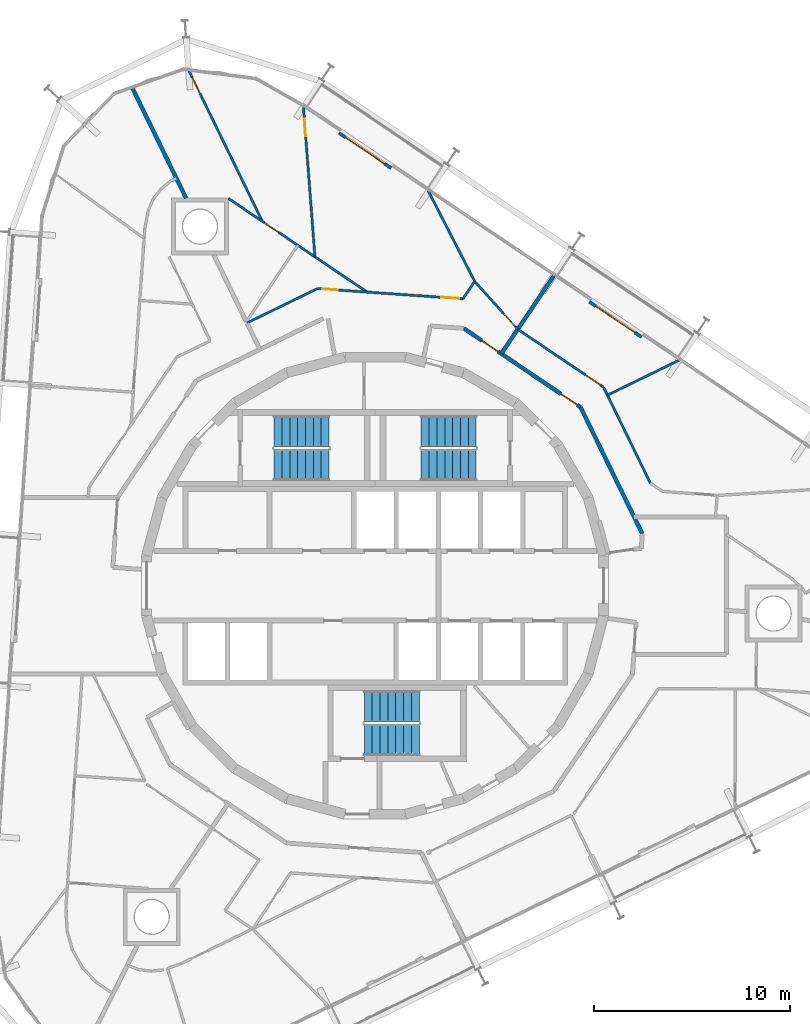
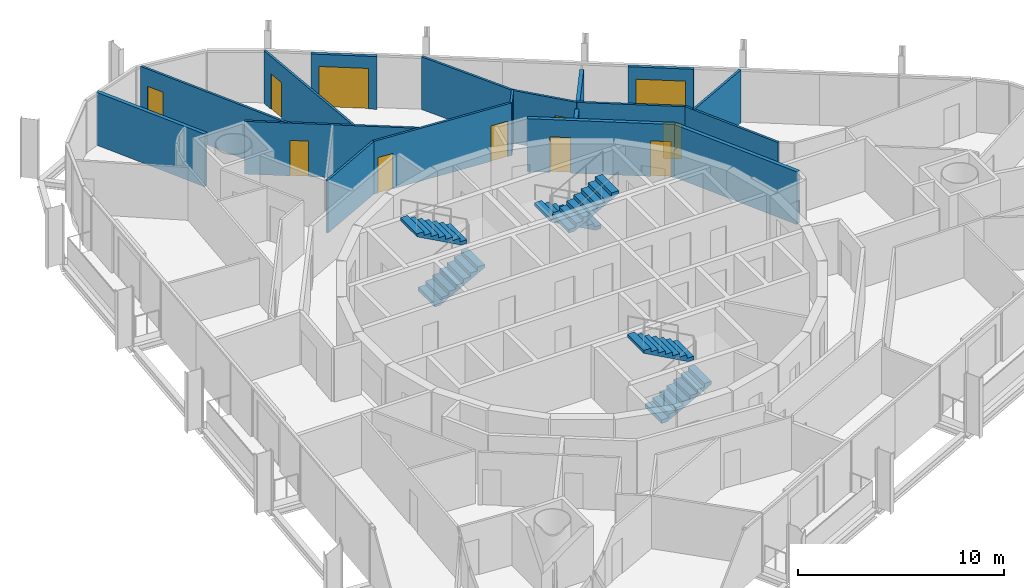
# One storey, part 16 of 17: 17 walls, 11 doors, 6 stair flights, 11 openings, 3 elements without a shape of their own.
"""IFC4 building model written with IfcOpenShell, lengths in metres."""

from ifc_helpers import new_model, si_unit, direction, frame, frame_2d, origin, place, context, subcontext, project, spatial, polyline, rectangle, outline, extrude, material, layer, layer_set, type_object, element, fill, aggregate, save


model = new_model("IFC4")

# Units and contexts
model_context = context("Model", 3, precision=1e-05, world=origin(), true_north=direction((0.0, 1.0)))
body_context = subcontext(model_context, "Body", "Model", "MODEL_VIEW")
ifc_project = project(units=[si_unit("LENGTHUNIT", "METRE"), si_unit("AREAUNIT", "SQUARE_METRE"), si_unit("VOLUMEUNIT", "CUBIC_METRE"), si_unit("PLANEANGLEUNIT", "RADIAN"), si_unit("MASSUNIT", "GRAM", prefix="KILO")], contexts=[model_context])

# Site, building, storey
site_placement = place(None, origin())
site = spatial("IfcSite", under=ifc_project, at=site_placement, CompositionType="ELEMENT")
building_placement = place(site_placement, origin())
building = spatial("IfcBuilding", under=site, at=building_placement, Name="Spindle Arch Residences", CompositionType="ELEMENT")
storey_placement = place(building_placement, frame((0.0, 0.0, 209.39990234375)))
storey = spatial("IfcBuildingStorey", under=building, at=storey_placement, Name="L53", CompositionType="ELEMENT", Elevation=209.39990234375)

# Wall, openings, doors
ifc_material_1 = material(Name="Calcium silicate block, plastered")
ifc_layer_1 = layer(ifc_material_1, 0.199951171875)
ifc_layer_set_1 = layer_set([ifc_layer_1], Name="Corridor wall 200")
wall_type_1 = type_object("IfcWallType", Name="Corridor wall 200", PredefinedType="STANDARD", material=ifc_layer_set_1)
wall_1_placement = place(storey_placement, frame((10.469970703125, 9.101318359375, 0.0), z_axis=(0.0, 0.0, 1.0), x_axis=(-0.829035841718, 0.559195469534, 0.0)))
wall_1 = element("IfcWall", 1, at=wall_1_placement, inside=storey, type_object=wall_type_1, Name="Corridor wall R5C0-W005", PredefinedType="STANDARD", context=body_context, shape_type="SweptSolid", body=[
    extrude(rectangle(XDim=7.18115234375, YDim=0.199951171875, at=frame_2d((3.590576171875, 0.0))), origin(), (0.0, 0.0, 1.0), 3.1201171875),
])
opening_1_placement = place(wall_1_placement, frame((0.199951171875, 0.0, 0.0)))
opening_1 = element("IfcOpeningElement", 2, at=opening_1_placement, cuts=wall_1, Name="Opening R5C0-FD01", PredefinedType="OPENING", context=body_context, shape_type="SweptSolid", body=[
    extrude(rectangle(XDim=1.0, YDim=2.10009765625, at=frame_2d((0.5, 1.050048828125))), frame((0.0, 0.10986328125, 0.0), z_axis=(0.0, -1.0, 0.0), x_axis=(1.0, 0.0, 0.0)), (0.0, 0.0, 1.0), 0.219970703125),
])
opening_2_placement = place(wall_1_placement, frame((5.07275390625, 0.0, 0.0)))
opening_2 = element("IfcOpeningElement", 3, at=opening_2_placement, cuts=wall_1, Name="Opening R5C0-FD02", PredefinedType="OPENING", context=body_context, shape_type="SweptSolid", body=[
    extrude(rectangle(XDim=1.0, YDim=2.10009765625, at=frame_2d((0.5, 1.050048828125))), frame((0.0, 0.10986328125, 0.0), z_axis=(0.0, -1.0, 0.0), x_axis=(1.0, 0.0, 0.0)), (0.0, 0.0, 1.0), 0.219970703125),
])
ifc_material_2 = material(Name="Timber, fire-resisting door set", Category="wood")
door_type_1 = type_object("IfcDoorType", Name="Flat entrance door 1000x2100", OperationType="NOTDEFINED", PredefinedType="DOOR", material=ifc_material_2)
door_1_placement = place(opening_1_placement, origin())
door_1 = element("IfcDoor", 4, at=door_1_placement, inside=storey, type_object=door_type_1, Name="Flat entrance door R5C0-FD01", OperationType="SINGLE_SWING_LEFT", OverallHeight=2.10009765625, OverallWidth=1.0, PredefinedType="DOOR", context=body_context, shape_type="SweptSolid", body=[
    extrude(rectangle(XDim=1.0, YDim=2.10009765625, at=frame_2d((0.5, 1.050048828125))), frame((0.0, 0.02490234375, 0.0), z_axis=(0.0, -1.0, 0.0), x_axis=(1.0, 0.0, 0.0)), (0.0, 0.0, 1.0), 0.050048828125),
])
fill(opening_1, door_1)
door_2_placement = place(opening_2_placement, origin())
door_2 = element("IfcDoor", 5, at=door_2_placement, inside=storey, type_object=door_type_1, Name="Flat entrance door R5C0-FD02", OperationType="SINGLE_SWING_RIGHT", OverallHeight=2.10009765625, OverallWidth=1.0, PredefinedType="DOOR", context=body_context, shape_type="SweptSolid", body=[
    extrude(rectangle(XDim=1.0, YDim=2.10009765625, at=frame_2d((0.5, 1.050048828125))), frame((0.0, 0.02490234375, 0.0), z_axis=(0.0, -1.0, 0.0), x_axis=(1.0, 0.0, 0.0)), (0.0, 0.0, 1.0), 0.050048828125),
])
fill(opening_2, door_2)

# Walls
ifc_material_3 = material(Name="Calcium silicate block, plastered")
ifc_layer_2 = layer(ifc_material_3, 0.199951171875)
ifc_layer_set_2 = layer_set([ifc_layer_2], Name="Fire-lift lobby bay wall 200")
wall_type_2 = type_object("IfcWallType", Name="Fire-lift lobby bay wall 200", PredefinedType="STANDARD", material=ifc_layer_set_2)
wall_2_placement = place(storey_placement, frame((13.617919921875, 2.64697265625, 0.0), z_axis=(0.0, 0.0, 1.0), x_axis=(-0.438366026218, 0.898796543751, 0.0)))
element("IfcWall", 6, at=wall_2_placement, inside=storey, type_object=wall_type_2, Name="Fire-lift lobby bay wall R5C0-W004", PredefinedType="STANDARD", context=body_context, shape_type="SweptSolid", body=[
    extrude(rectangle(XDim=7.18115234375, YDim=0.199951171875, at=frame_2d((3.590576171875, 0.0))), origin(), (0.0, 0.0, 1.0), 3.1201171875),
])
ifc_material_4 = material(Name="Plasterboard on steel studs", Category="steel")
ifc_layer_3 = layer(ifc_material_4, 0.1201171875)
ifc_layer_set_3 = layer_set([ifc_layer_3], Name="Flat partition 120")
wall_type_3 = type_object("IfcWallType", Name="Flat partition 120", PredefinedType="PARTITIONING", material=ifc_layer_set_3)
wall_3_placement = place(storey_placement, frame((14.02587890625, 5.232177734375, 0.0), z_axis=(0.0, 0.0, 1.0), x_axis=(-0.438374985284, 0.89879217413, 0.0)))
element("IfcWall", 7, at=wall_3_placement, inside=storey, type_object=wall_type_3, Name="Flat partition R5C0-W040", PredefinedType="PARTITIONING", context=body_context, shape_type="SweptSolid", body=[
    extrude(rectangle(XDim=5.438232421875, YDim=0.1201171875, at=frame_2d((2.71923828125, 0.0))), origin(), (0.0, 0.0, 1.0), 3.1201171875),
])

# Wall, opening, door
wall_4_placement = place(storey_placement, frame((11.641845703125, 10.1201171875, 0.0), z_axis=(0.0, 0.0, 1.0), x_axis=(-0.829054664054, 0.559167563446, 0.0)))
wall_4 = element("IfcWall", 8, at=wall_4_placement, inside=storey, type_object=wall_type_3, Name="Flat partition R5C0-W041", PredefinedType="PARTITIONING", context=body_context, shape_type="SweptSolid", body=[
    extrude(rectangle(XDim=5.274658203125, YDim=0.1201171875, at=frame_2d((2.63720703125, 0.0))), origin(), (0.0, 0.0, 1.0), 3.1201171875),
])
opening_3_placement = place(wall_4_placement, frame((0.199951171875, 0.0, 0.0)))
opening_3 = element("IfcOpeningElement", 9, at=opening_3_placement, cuts=wall_4, Name="Opening R5C0-ID02", PredefinedType="OPENING", context=body_context, shape_type="SweptSolid", body=[
    extrude(rectangle(XDim=0.89990234375, YDim=2.10009765625, at=frame_2d((0.449951171875, 1.050048828125))), frame((0.0, 0.070068359375, 0.0), z_axis=(0.0, -1.0, 0.0), x_axis=(1.0, 0.0, 0.0)), (0.0, 0.0, 1.0), 0.14013671875),
])
ifc_material_5 = material(Name="Timber door set", Category="wood")
door_type_2 = type_object("IfcDoorType", Name="Room door 900x2100", OperationType="NOTDEFINED", PredefinedType="DOOR", material=ifc_material_5)
door_3_placement = place(opening_3_placement, origin())
door_3 = element("IfcDoor", 10, at=door_3_placement, inside=storey, type_object=door_type_2, Name="Room door R5C0-ID02", OperationType="SINGLE_SWING_LEFT", OverallHeight=2.10009765625, OverallWidth=0.89990234375, PredefinedType="DOOR", context=body_context, shape_type="SweptSolid", body=[
    extrude(rectangle(XDim=0.89990234375, YDim=2.10009765625, at=frame_2d((0.449951171875, 1.050048828125))), frame((0.0, 0.02490234375, 0.0), z_axis=(0.0, -1.0, 0.0), x_axis=(1.0, 0.0, 0.0)), (0.0, 0.0, 1.0), 0.050048828125),
])
fill(opening_3, door_3)

# Wall
wall_5_placement = place(storey_placement, frame((15.48193359375, 11.4873046875, 0.0), z_axis=(0.0, 0.0, 1.0), x_axis=(-0.898807251285, -0.438344071521, 0.0)))
element("IfcWall", 11, at=wall_5_placement, inside=storey, type_object=wall_type_3, Name="Flat partition R5C0-W047", PredefinedType="PARTITIONING", context=body_context, shape_type="SweptSolid", body=[
    extrude(rectangle(XDim=4.05078125, YDim=0.1201171875, at=frame_2d((2.025390625, 0.0))), origin(), (0.0, 0.0, 1.0), 3.1201171875),
])

# Wall, opening, door
wall_6_placement = place(storey_placement, frame((7.268798828125, 13.069580078125, 0.0), z_axis=(0.0, 0.0, 1.0), x_axis=(-0.668495993587, 0.743715743116, 0.0)))
wall_6 = element("IfcWall", 12, at=wall_6_placement, inside=storey, type_object=wall_type_3, Name="Flat partition R5C0-W048", PredefinedType="PARTITIONING", context=body_context, shape_type="SweptSolid", body=[
    extrude(rectangle(XDim=3.281494140625, YDim=0.1201171875, at=frame_2d((1.640625, 0.0))), origin(), (0.0, 0.0, 1.0), 3.1201171875),
])
opening_4_placement = place(wall_6_placement, frame((0.199951171875, 0.0, 0.0)))
opening_4 = element("IfcOpeningElement", 13, at=opening_4_placement, cuts=wall_6, Name="Opening R5C0-ID05", PredefinedType="OPENING", context=body_context, shape_type="SweptSolid", body=[
    extrude(rectangle(XDim=0.89990234375, YDim=2.10009765625, at=frame_2d((0.449951171875, 1.050048828125))), frame((0.0, 0.070068359375, 0.0), z_axis=(0.0, -1.0, 0.0), x_axis=(1.0, 0.0, 0.0)), (0.0, 0.0, 1.0), 0.14013671875),
])
door_4_placement = place(opening_4_placement, origin())
door_4 = element("IfcDoor", 14, at=door_4_placement, inside=storey, type_object=door_type_2, Name="Room door R5C0-ID05", OperationType="SINGLE_SWING_RIGHT", OverallHeight=2.10009765625, OverallWidth=0.89990234375, PredefinedType="DOOR", context=body_context, shape_type="SweptSolid", body=[
    extrude(rectangle(XDim=0.89990234375, YDim=2.10009765625, at=frame_2d((0.449951171875, 1.050048828125))), frame((0.0, 0.02490234375, 0.0), z_axis=(0.0, -1.0, 0.0), x_axis=(1.0, 0.0, 0.0)), (0.0, 0.0, 1.0), 0.050048828125),
])
fill(opening_4, door_4)

# Wall
wall_7_placement = place(storey_placement, frame((5.0751953125, 15.510009765625, 0.0), z_axis=(0.0, 0.0, 1.0), x_axis=(-0.559221936342, -0.829017988896, 0.0)))
element("IfcWall", 15, at=wall_7_placement, inside=storey, type_object=wall_type_3, Name="Flat partition R5C0-W049", PredefinedType="PARTITIONING", context=body_context, shape_type="SweptSolid", body=[
    extrude(rectangle(XDim=1.069580078125, YDim=0.1201171875, at=frame_2d((0.53466796875, 0.0))), origin(), (0.0, 0.0, 1.0), 3.1201171875),
])

# Wall, openings, doors
wall_8_placement = place(storey_placement, frame((4.47705078125, 14.623291015625, 0.0), z_axis=(0.0, 0.0, 1.0), x_axis=(-0.997564862172, 0.069744861884, 0.0)))
wall_8 = element("IfcWall", 16, at=wall_8_placement, inside=storey, type_object=wall_type_3, Name="Flat partition R5C0-W050", PredefinedType="PARTITIONING", context=body_context, shape_type="SweptSolid", body=[
    extrude(rectangle(XDim=7.4384765625, YDim=0.1201171875, at=frame_2d((3.71923828125, 0.0))), origin(), (0.0, 0.0, 1.0), 3.1201171875),
])
opening_5_placement = place(wall_8_placement, frame((0.199951171875, 0.0, 0.0)))
opening_5 = element("IfcOpeningElement", 17, at=opening_5_placement, cuts=wall_8, Name="Opening R5C0-ID06", PredefinedType="OPENING", context=body_context, shape_type="SweptSolid", body=[
    extrude(rectangle(XDim=0.89990234375, YDim=2.10009765625, at=frame_2d((0.449951171875, 1.050048828125))), frame((0.0, 0.070068359375, 0.0), z_axis=(0.0, -1.0, 0.0), x_axis=(1.0, 0.0, 0.0)), (0.0, 0.0, 1.0), 0.14013671875),
])
opening_6_placement = place(wall_8_placement, frame((6.39208984375, 0.0, 0.0)))
opening_6 = element("IfcOpeningElement", 18, at=opening_6_placement, cuts=wall_8, Name="Opening R5C0-BD02", PredefinedType="OPENING", context=body_context, shape_type="SweptSolid", body=[
    extrude(rectangle(XDim=0.800048828125, YDim=2.10009765625, at=frame_2d((0.39990234375, 1.050048828125))), frame((0.0, 0.070068359375, 0.0), z_axis=(0.0, -1.0, 0.0), x_axis=(1.0, 0.0, 0.0)), (0.0, 0.0, 1.0), 0.14013671875),
])
ifc_material_6 = material(Name="Timber door set", Category="wood")
door_type_3 = type_object("IfcDoorType", Name="Bathroom door 800x2100", OperationType="NOTDEFINED", PredefinedType="DOOR", material=ifc_material_6)
door_5_placement = place(opening_6_placement, origin())
door_5 = element("IfcDoor", 19, at=door_5_placement, inside=storey, type_object=door_type_3, Name="Bathroom door R5C0-BD02", OperationType="SINGLE_SWING_RIGHT", OverallHeight=2.10009765625, OverallWidth=0.800048828125, PredefinedType="DOOR", context=body_context, shape_type="SweptSolid", body=[
    extrude(rectangle(XDim=0.800048828125, YDim=2.10009765625, at=frame_2d((0.39990234375, 1.050048828125))), frame((0.0, 0.02490234375, 0.0), z_axis=(0.0, -1.0, 0.0), x_axis=(1.0, 0.0, 0.0)), (0.0, 0.0, 1.0), 0.050048828125),
])
fill(opening_6, door_5)
door_6_placement = place(opening_5_placement, origin())
door_6 = element("IfcDoor", 20, at=door_6_placement, inside=storey, type_object=door_type_2, Name="Room door R5C0-ID06", OperationType="SINGLE_SWING_RIGHT", OverallHeight=2.10009765625, OverallWidth=0.89990234375, PredefinedType="DOOR", context=body_context, shape_type="SweptSolid", body=[
    extrude(rectangle(XDim=0.89990234375, YDim=2.10009765625, at=frame_2d((0.449951171875, 1.050048828125))), frame((0.0, 0.02490234375, 0.0), z_axis=(0.0, -1.0, 0.0), x_axis=(1.0, 0.0, 0.0)), (0.0, 0.0, 1.0), 0.050048828125),
])
fill(opening_5, door_6)

# Walls
wall_9_placement = place(storey_placement, frame((-2.943359375, 15.14208984375, 0.0), z_axis=(0.0, 0.0, 1.0), x_axis=(-0.89881075705, -0.438336883014, 0.0)))
element("IfcWall", 21, at=wall_9_placement, inside=storey, type_object=wall_type_3, Name="Flat partition R5C0-W051", PredefinedType="PARTITIONING", context=body_context, shape_type="SweptSolid", body=[
    extrude(rectangle(XDim=3.992431640625, YDim=0.1201171875, at=frame_2d((1.99609375, 0.0))), origin(), (0.0, 0.0, 1.0), 3.1201171875),
])
wall_10_placement = place(storey_placement, frame((2.696044921875, 20.1484375, 0.0), z_axis=(0.0, 0.0, 1.0), x_axis=(0.456387956197, -0.889780890691, 0.0)))
element("IfcWall", 22, at=wall_10_placement, inside=storey, type_object=wall_type_3, Name="Flat partition R5C0-W052", PredefinedType="PARTITIONING", context=body_context, shape_type="SweptSolid", body=[
    extrude(rectangle(XDim=5.212890625, YDim=0.1201171875, at=frame_2d((2.6064453125, 0.0))), origin(), (0.0, 0.0, 1.0), 3.1201171875),
])

# Wall, opening, door
wall_11_placement = place(storey_placement, frame((-7.475830078125, 19.735107421875, 0.0), z_axis=(0.0, 0.0, 1.0), x_axis=(0.829035412992, -0.559196105142, 0.0)))
wall_11 = element("IfcWall", 23, at=wall_11_placement, inside=storey, type_object=wall_type_3, Name="Flat partition R5C0-W053", PredefinedType="PARTITIONING", context=body_context, shape_type="SweptSolid", body=[
    extrude(rectangle(XDim=8.531005859375, YDim=0.1201171875, at=frame_2d((4.265625, 0.0))), origin(), (0.0, 0.0, 1.0), 3.1201171875),
])
opening_7_placement = place(wall_11_placement, frame((2.20361328125, 0.0, 0.0)))
opening_7 = element("IfcOpeningElement", 24, at=opening_7_placement, cuts=wall_11, Name="Opening R5C0-ID08", PredefinedType="OPENING", context=body_context, shape_type="SweptSolid", body=[
    extrude(rectangle(XDim=0.89990234375, YDim=2.10009765625, at=frame_2d((0.449951171875, 1.050048828125))), frame((0.0, 0.070068359375, 0.0), z_axis=(0.0, -1.0, 0.0), x_axis=(1.0, 0.0, 0.0)), (0.0, 0.0, 1.0), 0.14013671875),
])
door_7_placement = place(opening_7_placement, origin())
door_7 = element("IfcDoor", 25, at=door_7_placement, inside=storey, type_object=door_type_2, Name="Room door R5C0-ID08", OperationType="SINGLE_SWING_LEFT", OverallHeight=2.10009765625, OverallWidth=0.89990234375, PredefinedType="DOOR", context=body_context, shape_type="SweptSolid", body=[
    extrude(rectangle(XDim=0.89990234375, YDim=2.10009765625, at=frame_2d((0.449951171875, 1.050048828125))), frame((0.0, 0.02490234375, 0.0), z_axis=(0.0, -1.0, 0.0), x_axis=(1.0, 0.0, 0.0)), (0.0, 0.0, 1.0), 0.050048828125),
])
fill(opening_7, door_7)

wall_12_placement = place(storey_placement, frame((-3.6533203125, 24.39404296875, 0.0), z_axis=(0.0, 0.0, 1.0), x_axis=(0.076513576433, -0.997068539581, 0.0)))
wall_12 = element("IfcWall", 26, at=wall_12_placement, inside=storey, type_object=wall_type_3, Name="Flat partition R5C0-W054", PredefinedType="PARTITIONING", context=body_context, shape_type="SweptSolid", body=[
    extrude(rectangle(XDim=7.65478515625, YDim=0.1201171875, at=frame_2d((3.827392578125, 0.0))), origin(), (0.0, 0.0, 1.0), 3.1201171875),
])
opening_8_placement = place(wall_12_placement, frame((0.60009765625, 0.0, 0.0)))
opening_8 = element("IfcOpeningElement", 27, at=opening_8_placement, cuts=wall_12, Name="Opening R5C0-ID07", PredefinedType="OPENING", context=body_context, shape_type="SweptSolid", body=[
    extrude(rectangle(XDim=0.89990234375, YDim=2.10009765625, at=frame_2d((0.449951171875, 1.050048828125))), frame((0.0, 0.070068359375, 0.0), z_axis=(0.0, -1.0, 0.0), x_axis=(1.0, 0.0, 0.0)), (0.0, 0.0, 1.0), 0.14013671875),
])
door_8_placement = place(opening_8_placement, origin())
door_8 = element("IfcDoor", 28, at=door_8_placement, inside=storey, type_object=door_type_2, Name="Room door R5C0-ID07", OperationType="SINGLE_SWING_RIGHT", OverallHeight=2.10009765625, OverallWidth=0.89990234375, PredefinedType="DOOR", context=body_context, shape_type="SweptSolid", body=[
    extrude(rectangle(XDim=0.89990234375, YDim=2.10009765625, at=frame_2d((0.449951171875, 1.050048828125))), frame((0.0, 0.02490234375, 0.0), z_axis=(0.0, -1.0, 0.0), x_axis=(1.0, 0.0, 0.0)), (0.0, 0.0, 1.0), 0.050048828125),
])
fill(opening_8, door_8)

wall_13_placement = place(storey_placement, frame((-9.49609375, 26.25390625, 0.0), z_axis=(0.0, 0.0, 1.0), x_axis=(0.438361739807, -0.89879863433, 0.0)))
wall_13 = element("IfcWall", 29, at=wall_13_placement, inside=storey, type_object=wall_type_3, Name="Flat partition R5C0-W056", PredefinedType="PARTITIONING", context=body_context, shape_type="SweptSolid", body=[
    extrude(rectangle(XDim=8.549072265625, YDim=0.1201171875, at=frame_2d((4.2744140625, 0.0))), origin(), (0.0, 0.0, 1.0), 3.1201171875),
])
opening_9_placement = place(wall_13_placement, frame((0.39990234375, 0.0, 0.0)))
opening_9 = element("IfcOpeningElement", 30, at=opening_9_placement, cuts=wall_13, Name="Opening R5C0-ID09", PredefinedType="OPENING", context=body_context, shape_type="SweptSolid", body=[
    extrude(rectangle(XDim=0.89990234375, YDim=2.10009765625, at=frame_2d((0.449951171875, 1.050048828125))), frame((0.0, 0.070068359375, 0.0), z_axis=(0.0, -1.0, 0.0), x_axis=(1.0, 0.0, 0.0)), (0.0, 0.0, 1.0), 0.14013671875),
])
door_9_placement = place(opening_9_placement, origin())
door_9 = element("IfcDoor", 31, at=door_9_placement, inside=storey, type_object=door_type_2, Name="Room door R5C0-ID09", OperationType="SINGLE_SWING_RIGHT", OverallHeight=2.10009765625, OverallWidth=0.89990234375, PredefinedType="DOOR", context=body_context, shape_type="SweptSolid", body=[
    extrude(rectangle(XDim=0.89990234375, YDim=2.10009765625, at=frame_2d((0.449951171875, 1.050048828125))), frame((0.0, 0.02490234375, 0.0), z_axis=(0.0, -1.0, 0.0), x_axis=(1.0, 0.0, 0.0)), (0.0, 0.0, 1.0), 0.050048828125),
])
fill(opening_9, door_9)

# Walls
ifc_material_7 = material(Name="Calcium silicate block, plastered")
ifc_layer_4 = layer(ifc_material_7, 0.199951171875)
ifc_layer_set_4 = layer_set([ifc_layer_4], Name="Flat party wall 200")
wall_type_4 = type_object("IfcWallType", Name="Flat party wall 200", PredefinedType="STANDARD", material=ifc_layer_set_4)
wall_14_placement = place(storey_placement, frame((-12.4091796875, 25.4423828125, 0.0), z_axis=(0.0, 0.0, 1.0), x_axis=(0.43838641251, -0.898786600549, 0.0)))
element("IfcWall", 32, at=wall_14_placement, inside=storey, type_object=wall_type_4, Name="Flat party wall R5C0-W032", PredefinedType="STANDARD", context=body_context, shape_type="SweptSolid", body=[
    extrude(rectangle(XDim=6.33251953125, YDim=0.199951171875, at=frame_2d((3.166259765625, 0.0))), origin(), (0.0, 0.0, 1.0), 3.1201171875),
])
ifc_material_8 = material(Name="Calcium silicate block, plastered")
ifc_layer_5 = layer(ifc_material_8, 0.199951171875)
ifc_layer_set_5 = layer_set([ifc_layer_5], Name="Flat party wall 200 under beam 2730")
wall_type_5 = type_object("IfcWallType", Name="Flat party wall 200 under beam 2730", PredefinedType="STANDARD", material=ifc_layer_set_5)
wall_15_placement = place(storey_placement, frame((9.103515625, 15.78955078125, 0.0), z_axis=(0.0, 0.0, 1.0), x_axis=(-0.559193912135, -0.829036892201, 0.0)))
element("IfcWall", 33, at=wall_15_placement, inside=storey, type_object=wall_type_5, Name="Flat party wall R5C0-W027", PredefinedType="STANDARD", context=body_context, shape_type="SweptSolid", body=[
    extrude(rectangle(XDim=4.78076171875, YDim=0.199951171875, at=frame_2d((2.390380859375, 0.0))), origin(), (0.0, 0.0, 1.0), 2.72998046875),
])

# Wall, opening, door
ifc_material_9 = material(Name="Non-combustible mineral wool insulated aluminium faced external wall (K0)", Category="aluminium")
ifc_layer_6 = layer(ifc_material_9, 0.159912109375)
ifc_layer_set_6 = layer_set([ifc_layer_6], Name="Insulated external wall panel 160")
wall_type_6 = type_object("IfcWallType", Name="Insulated external wall panel 160", PredefinedType="STANDARD", material=ifc_layer_set_6)
wall_16_placement = place(storey_placement, frame((13.574462890625, 12.677490234375, 0.0), z_axis=(0.0, 0.0, 1.0), x_axis=(-0.829068838882, 0.55914654644, 0.0)))
wall_16 = element("IfcWall", 34, at=wall_16_placement, inside=storey, type_object=wall_type_6, Name="External wall L53 bay 7", PredefinedType="STANDARD", context=body_context, shape_type="SweptSolid", body=[
    extrude(rectangle(XDim=3.199951171875, YDim=0.159912109375, at=frame_2d((1.60009765625, 0.0))), origin(), (0.0, 0.0, 1.0), 3.1201171875),
])
opening_10_placement = place(wall_16_placement, frame((0.39990234375, 0.0, 0.0)))
opening_10 = element("IfcOpeningElement", 35, at=opening_10_placement, cuts=wall_16, Name="Opening BD07", PredefinedType="OPENING", context=body_context, shape_type="SweptSolid", body=[
    extrude(rectangle(XDim=2.39990234375, YDim=2.39990234375, at=frame_2d((1.199951171875, 1.199951171875))), frame((0.0, 0.08984375, 0.0), z_axis=(0.0, -1.0, 0.0), x_axis=(1.0, 0.0, 0.0)), (0.0, 0.0, 1.0), 0.179931640625),
])
ifc_material_10 = material(Name="Bronze aluminium frame, tinted double glazing", Category="aluminium")
door_type_4 = type_object("IfcDoorType", Name="Sliding glazed balcony door 2400x2400", OperationType="DOUBLE_DOOR_SLIDING", PredefinedType="DOOR", material=ifc_material_10)
door_10_placement = place(opening_10_placement, origin())
door_10 = element("IfcDoor", 36, at=door_10_placement, inside=storey, type_object=door_type_4, Name="Balcony door BD07", OperationType="DOUBLE_DOOR_SLIDING", OverallHeight=2.39990234375, OverallWidth=2.39990234375, PredefinedType="DOOR", context=body_context, shape_type="SweptSolid", body=[
    extrude(rectangle(XDim=2.39990234375, YDim=2.39990234375, at=frame_2d((1.199951171875, 1.199951171875))), frame((0.0, 0.02490234375, 0.0), z_axis=(0.0, -1.0, 0.0), x_axis=(1.0, 0.0, 0.0)), (0.0, 0.0, 1.0), 0.050048828125),
])
fill(opening_10, door_10)

wall_17_placement = place(storey_placement, frame((0.817626953125, 21.281982421875, 0.0), z_axis=(0.0, 0.0, 1.0), x_axis=(-0.829044984211, 0.559181915082, 0.0)))
wall_17 = element("IfcWall", 37, at=wall_17_placement, inside=storey, type_object=wall_type_6, Name="External wall L53 bay 9", PredefinedType="STANDARD", context=body_context, shape_type="SweptSolid", body=[
    extrude(rectangle(XDim=3.199951171875, YDim=0.159912109375, at=frame_2d((1.60009765625, 0.0))), origin(), (0.0, 0.0, 1.0), 3.1201171875),
])
opening_11_placement = place(wall_17_placement, frame((0.39990234375, 0.0, 0.0)))
opening_11 = element("IfcOpeningElement", 38, at=opening_11_placement, cuts=wall_17, Name="Opening BD09", PredefinedType="OPENING", context=body_context, shape_type="SweptSolid", body=[
    extrude(rectangle(XDim=2.39990234375, YDim=2.39990234375, at=frame_2d((1.199951171875, 1.199951171875))), frame((0.0, 0.08984375, 0.0), z_axis=(0.0, -1.0, 0.0), x_axis=(1.0, 0.0, 0.0)), (0.0, 0.0, 1.0), 0.179931640625),
])
door_11_placement = place(opening_11_placement, origin())
door_11 = element("IfcDoor", 39, at=door_11_placement, inside=storey, type_object=door_type_4, Name="Balcony door BD09", OperationType="DOUBLE_DOOR_SLIDING", OverallHeight=2.39990234375, OverallWidth=2.39990234375, PredefinedType="DOOR", context=body_context, shape_type="SweptSolid", body=[
    extrude(rectangle(XDim=2.39990234375, YDim=2.39990234375, at=frame_2d((1.199951171875, 1.199951171875))), frame((0.0, 0.02490234375, 0.0), z_axis=(0.0, -1.0, 0.0), x_axis=(1.0, 0.0, 0.0)), (0.0, 0.0, 1.0), 0.050048828125),
])
fill(opening_11, door_11)

# Stair, stair flights
ifc_material_11 = material(Name="Concrete C50/60", Category="concrete")
stair_type = type_object("IfcStairType", Name="Exit stair 16 risers", PredefinedType="HALF_TURN_STAIR", material=ifc_material_11)
stair_1_placement = place(storey_placement, origin())
stair_1 = element("IfcStair", 40, at=stair_1_placement, inside=storey, type_object=stair_type, Name="L53 Exit stair ST1", PredefinedType="HALF_TURN_STAIR")
ifc_material_12 = material(Name="Concrete C50/60", Category="concrete")
stair_flight_type = type_object("IfcStairFlightType", Name="Exit stair flight", PredefinedType="STRAIGHT", material=ifc_material_12)
stair_flight_1_placement = place(storey_placement, frame((5.14990234375, 7.8701171875, 0.0), z_axis=(0.0, 0.0, 1.0), x_axis=(-1.0, 0.0, 0.0)))
stair_flight_1 = element("IfcStairFlight", 41, at=stair_flight_1_placement, type_object=stair_flight_type, Name="ST1 flight 1", NumberOfRisers=8, NumberOfTreads=7, PredefinedType="STRAIGHT", RiserHeight=0.21875, TreadLength=0.4, context=body_context, shape_type="SweptSolid", body=[
    extrude(outline(polyline([(0.0, 0.0), (0.0, 0.21875), (0.39990234375, 0.21875), (0.39990234375, 0.4375), (0.800048828125, 0.4375), (0.800048828125, 0.65625), (1.199951171875, 0.65625), (1.199951171875, 0.875), (1.60009765625, 0.875), (1.60009765625, 1.09375), (2.0, 1.09375), (2.0, 1.3125), (2.39990234375, 1.3125), (2.39990234375, 1.53125), (2.800048828125, 1.53125), (2.800048828125, 1.75), (2.800048828125, 1.3603515625), (0.3125, 0.0), (0.0, 0.0)])), frame((0.0, 0.800048828125, 0.0), z_axis=(0.0, -1.0, 0.0), x_axis=(1.0, 0.0, 0.0)), (0.0, 0.0, 1.0), 1.60009765625),
])
stair_flight_2_placement = place(storey_placement, frame((2.35009765625, 6.14990234375, 1.75), z_axis=(0.0, 0.0, 1.0), x_axis=(1.0, 0.0, 0.0)))
stair_flight_2 = element("IfcStairFlight", 42, at=stair_flight_2_placement, type_object=stair_flight_type, Name="ST1 flight 2", NumberOfRisers=8, NumberOfTreads=7, PredefinedType="STRAIGHT", RiserHeight=0.21875, TreadLength=0.4, context=body_context, shape_type="SweptSolid", body=[
    extrude(outline(polyline([(0.0, 0.0), (0.0, 0.21875), (0.39990234375, 0.21875), (0.39990234375, 0.4375), (0.800048828125, 0.4375), (0.800048828125, 0.65625), (1.199951171875, 0.65625), (1.199951171875, 0.875), (1.60009765625, 0.875), (1.60009765625, 1.09375), (2.0, 1.09375), (2.0, 1.3125), (2.39990234375, 1.3125), (2.39990234375, 1.53125), (2.800048828125, 1.53125), (2.800048828125, 1.75), (2.800048828125, 1.3603515625), (0.3125, 0.0), (0.0, 0.0)])), frame((0.0, 0.800048828125, 0.0), z_axis=(0.0, -1.0, 0.0), x_axis=(1.0, 0.0, 0.0)), (0.0, 0.0, 1.0), 1.60009765625),
])
aggregate(stair_1, [stair_flight_1, stair_flight_2])

stair_2_placement = place(storey_placement, origin())
stair_2 = element("IfcStair", 43, at=stair_2_placement, inside=storey, type_object=stair_type, Name="L53 Exit stair ST2", PredefinedType="HALF_TURN_STAIR")
stair_flight_3_placement = place(storey_placement, frame((-5.14990234375, 6.14990234375, 0.0), z_axis=(0.0, 0.0, 1.0), x_axis=(1.0, 0.0, 0.0)))
stair_flight_3 = element("IfcStairFlight", 44, at=stair_flight_3_placement, type_object=stair_flight_type, Name="ST2 flight 1", NumberOfRisers=8, NumberOfTreads=7, PredefinedType="STRAIGHT", RiserHeight=0.21875, TreadLength=0.4, context=body_context, shape_type="SweptSolid", body=[
    extrude(outline(polyline([(0.0, 0.0), (0.0, 0.21875), (0.39990234375, 0.21875), (0.39990234375, 0.4375), (0.800048828125, 0.4375), (0.800048828125, 0.65625), (1.199951171875, 0.65625), (1.199951171875, 0.875), (1.60009765625, 0.875), (1.60009765625, 1.09375), (2.0, 1.09375), (2.0, 1.3125), (2.39990234375, 1.3125), (2.39990234375, 1.53125), (2.800048828125, 1.53125), (2.800048828125, 1.75), (2.800048828125, 1.3603515625), (0.3125, 0.0), (0.0, 0.0)])), frame((0.0, 0.800048828125, 0.0), z_axis=(0.0, -1.0, 0.0), x_axis=(1.0, 0.0, 0.0)), (0.0, 0.0, 1.0), 1.60009765625),
])
stair_flight_4_placement = place(storey_placement, frame((-2.35009765625, 7.8701171875, 1.75), z_axis=(0.0, 0.0, 1.0), x_axis=(-1.0, 0.0, 0.0)))
stair_flight_4 = element("IfcStairFlight", 45, at=stair_flight_4_placement, type_object=stair_flight_type, Name="ST2 flight 2", NumberOfRisers=8, NumberOfTreads=7, PredefinedType="STRAIGHT", RiserHeight=0.21875, TreadLength=0.4, context=body_context, shape_type="SweptSolid", body=[
    extrude(outline(polyline([(0.0, 0.0), (0.0, 0.21875), (0.39990234375, 0.21875), (0.39990234375, 0.4375), (0.800048828125, 0.4375), (0.800048828125, 0.65625), (1.199951171875, 0.65625), (1.199951171875, 0.875), (1.60009765625, 0.875), (1.60009765625, 1.09375), (2.0, 1.09375), (2.0, 1.3125), (2.39990234375, 1.3125), (2.39990234375, 1.53125), (2.800048828125, 1.53125), (2.800048828125, 1.75), (2.800048828125, 1.3603515625), (0.3125, 0.0), (0.0, 0.0)])), frame((0.0, 0.800048828125, 0.0), z_axis=(0.0, -1.0, 0.0), x_axis=(1.0, 0.0, 0.0)), (0.0, 0.0, 1.0), 1.60009765625),
])
aggregate(stair_2, [stair_flight_3, stair_flight_4])

stair_3_placement = place(storey_placement, origin())
stair_3 = element("IfcStair", 46, at=stair_3_placement, inside=storey, type_object=stair_type, Name="L53 Exit stair ST3", PredefinedType="HALF_TURN_STAIR")
stair_flight_5_placement = place(storey_placement, frame((-0.550048828125, -7.8701171875, 0.0), z_axis=(0.0, 0.0, 1.0), x_axis=(1.0, 0.0, 0.0)))
stair_flight_5 = element("IfcStairFlight", 47, at=stair_flight_5_placement, type_object=stair_flight_type, Name="ST3 flight 1", NumberOfRisers=8, NumberOfTreads=7, PredefinedType="STRAIGHT", RiserHeight=0.21875, TreadLength=0.4, context=body_context, shape_type="SweptSolid", body=[
    extrude(outline(polyline([(0.0, 0.0), (0.0, 0.21875), (0.39990234375, 0.21875), (0.39990234375, 0.4375), (0.800048828125, 0.4375), (0.800048828125, 0.65625), (1.199951171875, 0.65625), (1.199951171875, 0.875), (1.60009765625, 0.875), (1.60009765625, 1.09375), (2.0, 1.09375), (2.0, 1.3125), (2.39990234375, 1.3125), (2.39990234375, 1.53125), (2.800048828125, 1.53125), (2.800048828125, 1.75), (2.800048828125, 1.3603515625), (0.3125, 0.0), (0.0, 0.0)])), frame((0.0, 0.800048828125, 0.0), z_axis=(0.0, -1.0, 0.0), x_axis=(1.0, 0.0, 0.0)), (0.0, 0.0, 1.0), 1.60009765625),
])
stair_flight_6_placement = place(storey_placement, frame((2.25, -6.14990234375, 1.75), z_axis=(0.0, 0.0, 1.0), x_axis=(-1.0, 0.0, 0.0)))
stair_flight_6 = element("IfcStairFlight", 48, at=stair_flight_6_placement, type_object=stair_flight_type, Name="ST3 flight 2", NumberOfRisers=8, NumberOfTreads=7, PredefinedType="STRAIGHT", RiserHeight=0.21875, TreadLength=0.4, context=body_context, shape_type="SweptSolid", body=[
    extrude(outline(polyline([(0.0, 0.0), (0.0, 0.21875), (0.39990234375, 0.21875), (0.39990234375, 0.4375), (0.800048828125, 0.4375), (0.800048828125, 0.65625), (1.199951171875, 0.65625), (1.199951171875, 0.875), (1.60009765625, 0.875), (1.60009765625, 1.09375), (2.0, 1.09375), (2.0, 1.3125), (2.39990234375, 1.3125), (2.39990234375, 1.53125), (2.800048828125, 1.53125), (2.800048828125, 1.75), (2.800048828125, 1.3603515625), (0.3125, 0.0), (0.0, 0.0)])), frame((0.0, 0.800048828125, 0.0), z_axis=(0.0, -1.0, 0.0), x_axis=(1.0, 0.0, 0.0)), (0.0, 0.0, 1.0), 1.60009765625),
])
aggregate(stair_3, [stair_flight_5, stair_flight_6])

save(model, "model.ifc")
